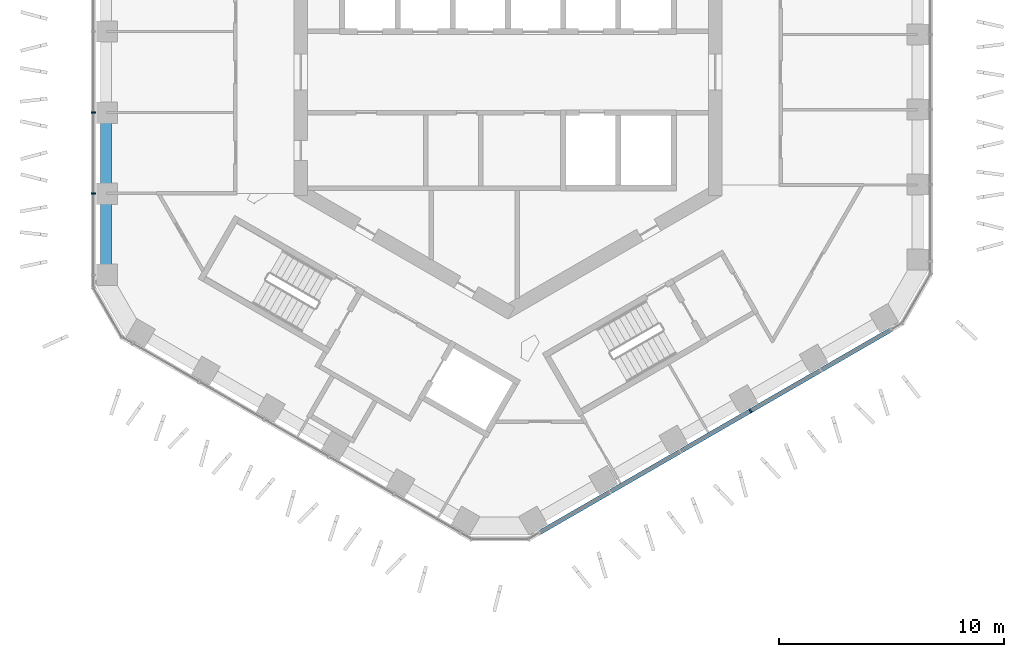
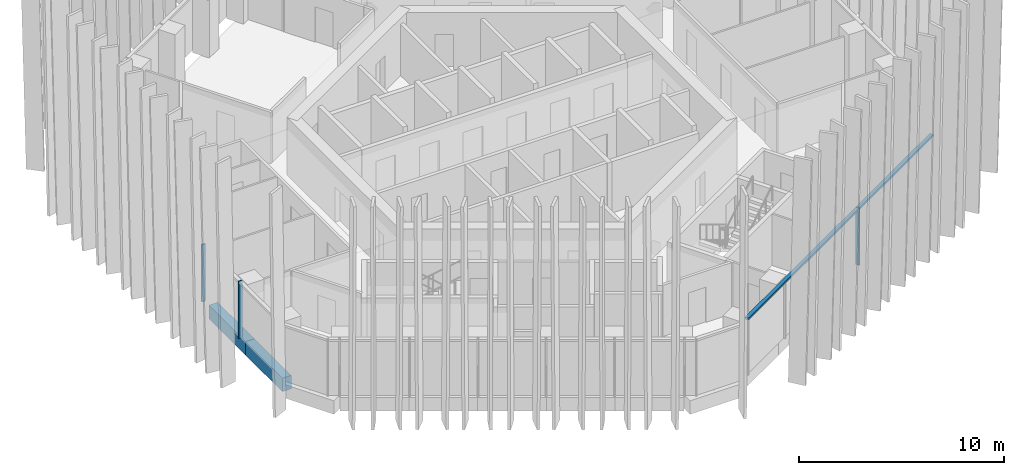
# One storey, part 3 of 21: 4 members, 2 beams, 2 elements without a shape of their own.
"""IFC4 building model written with IfcOpenShell, lengths in metres."""

from ifc_helpers import new_model, si_unit, direction, frame, origin, origin_2d, place, context, subcontext, project, spatial, rectangle, extrude, material, layer, layer_set, material_profile, profile_set, type_object, element, aggregate, save


model = new_model("IFC4")

# Units and contexts
model_context = context("Model", 3, precision=1e-05, world=origin(), true_north=direction((0.0, 1.0)))
body_context = subcontext(model_context, "Body", "Model", "MODEL_VIEW")
ifc_project = project(units=[si_unit("LENGTHUNIT", "METRE"), si_unit("AREAUNIT", "SQUARE_METRE"), si_unit("VOLUMEUNIT", "CUBIC_METRE"), si_unit("PLANEANGLEUNIT", "RADIAN"), si_unit("MASSUNIT", "GRAM", prefix="KILO")], contexts=[model_context])

# Site, building, storey
site_placement = place(None, origin())
site = spatial("IfcSite", under=ifc_project, at=site_placement, CompositionType="ELEMENT")
building_placement = place(site_placement, origin())
building = spatial("IfcBuilding", under=site, at=building_placement, Name="Ayvan Gate Tower", CompositionType="ELEMENT")
storey_placement = place(building_placement, frame((0.0, 0.0, 173.10009765625)))
storey = spatial("IfcBuildingStorey", under=building, at=storey_placement, Name="L46", CompositionType="ELEMENT", Elevation=173.10009765625)

# Beams
ifc_material_1 = material(Name="Concrete C40/50", Category="concrete")
ifc_material_profile_1 = material_profile(ifc_material_1, rectangle(XDim=0.5, YDim=0.800048828125, at=origin_2d()), Name="RC 500x800")
ifc_profile_set_1 = profile_set([ifc_material_profile_1], Name="Concrete C40/50")
beam_type = type_object("IfcBeamType", Name="Spandrel beam RC 500x800 C40/50", PredefinedType="BEAM", material=ifc_profile_set_1)
for number, where, z_axis, x_axis, name in (
    (1, (-17.843505859375, -1.793212890625, -0.75), (0.0, -1.0, 0.0), (1.0, 0.0, 0.0), "SB-L46-22"),
    (2, (-17.843505859375, -5.379638671875, -0.75), (0.0, -1.0, 0.0), (1.0, 0.0, 0.0), "SB-L46-23"),
):
    element("IfcBeam", number, at=place(storey_placement, frame(where, z_axis=z_axis, x_axis=x_axis)), inside=storey, type_object=beam_type, Name=name, PredefinedType="BEAM", context=body_context, shape_type="SweptSolid", body=[
        extrude(rectangle(XDim=0.5, YDim=0.800048828125, at=origin_2d()), origin(), (0.0, 0.0, 1.0), 3.58642578125),
    ])

# Curtain wall, members
ifc_material_2 = material(Name="Bronze anodised aluminium", Category="aluminium")
ifc_layer = layer(ifc_material_2, 0.199951171875)
ifc_layer_set = layer_set([ifc_layer], Name="Bronze anodised aluminium")
curtain_wall_type = type_object("IfcCurtainWallType", Name="Stick curtain wall CW-2", PredefinedType="NOTDEFINED", material=ifc_layer_set)
curtain_wall_1_placement = place(storey_placement, origin())
curtain_wall_1 = element("IfcCurtainWall", 3, at=curtain_wall_1_placement, inside=storey, type_object=curtain_wall_type, Name="Stick curtain wall CW-2 L46", PredefinedType="NOTDEFINED")
ifc_material_profile_2 = material_profile(ifc_material_2, rectangle(XDim=0.199951171875, YDim=0.070068359375, at=origin_2d()), Name="Stick curtain wall CW-2 mullion 200 x 70")
ifc_profile_set_2 = profile_set([ifc_material_profile_2], Name="Bronze anodised aluminium")
member_type_1 = type_object("IfcMemberType", Name="Stick curtain wall CW-2 mullion 200 x 70", PredefinedType="MULLION", material=ifc_profile_set_2)
member_1_placement = place(storey_placement, frame((-18.405517578125, -1.7978515625, 0.0), z_axis=(0.0, 0.0, 1.0), x_axis=(-1.0, 0.0, 0.0)))
member_1 = element("IfcMember", 4, at=member_1_placement, type_object=member_type_1, Name="CW-2 mullion 4", PredefinedType="MULLION", context=body_context, shape_type="SweptSolid", body=[
    extrude(rectangle(XDim=0.199951171875, YDim=0.070068359375, at=origin_2d()), origin(), (0.0, 0.0, 1.0), 3.39990234375),
])
member_2_placement = place(storey_placement, frame((-18.405517578125, -5.394775390625, 0.0), z_axis=(0.0, 0.0, 1.0), x_axis=(-1.0, 0.0, 0.0)))
member_2 = element("IfcMember", 5, at=member_2_placement, type_object=member_type_1, Name="CW-2 mullion 5", PredefinedType="MULLION", context=body_context, shape_type="SweptSolid", body=[
    extrude(rectangle(XDim=0.199951171875, YDim=0.070068359375, at=origin_2d()), origin(), (0.0, 0.0, 1.0), 3.39990234375),
])
aggregate(curtain_wall_1, [member_1, member_2])

curtain_wall_2_placement = place(storey_placement, origin())
curtain_wall_2 = element("IfcCurtainWall", 6, at=curtain_wall_2_placement, inside=storey, type_object=curtain_wall_type, Name="Stick curtain wall CW-2 L46", PredefinedType="NOTDEFINED")
member_3_placement = place(storey_placement, frame((10.759521484375, -15.040771484375, 0.0), z_axis=(0.0, 0.0, 1.0), x_axis=(0.5, -0.866025403784, 0.0)))
member_3 = element("IfcMember", 7, at=member_3_placement, type_object=member_type_1, Name="CW-2 mullion 4", PredefinedType="MULLION", context=body_context, shape_type="SweptSolid", body=[
    extrude(rectangle(XDim=0.199951171875, YDim=0.070068359375, at=origin_2d()), origin(), (0.0, 0.0, 1.0), 3.39990234375),
])
ifc_material_profile_3 = material_profile(ifc_material_2, rectangle(XDim=0.199951171875, YDim=0.1201171875, at=origin_2d()), Name="Stick curtain wall CW-2 transom 200 x 120")
ifc_profile_set_3 = profile_set([ifc_material_profile_3], Name="Bronze anodised aluminium")
member_type_2 = type_object("IfcMemberType", Name="Stick curtain wall CW-2 transom 200 x 120", PredefinedType="USERDEFINED", material=ifc_profile_set_3)
member_4_placement = place(storey_placement, frame((1.396240234375, -20.44677734375, 3.33984375), z_axis=(0.866020284996, 0.500008865896, 0.0), x_axis=(-0.500008865896, 0.866020284996, 0.0)))
member_4 = element("IfcMember", 8, at=member_4_placement, type_object=member_type_2, Name="CW-2 transom 1", ObjectType="TRANSOM", PredefinedType="USERDEFINED", context=body_context, shape_type="SweptSolid", body=[
    extrude(rectangle(XDim=0.199951171875, YDim=0.1201171875, at=origin_2d()), origin(), (0.0, 0.0, 1.0), 18.028564453125),
])
aggregate(curtain_wall_2, [member_3, member_4])

save(model, "model.ifc")
